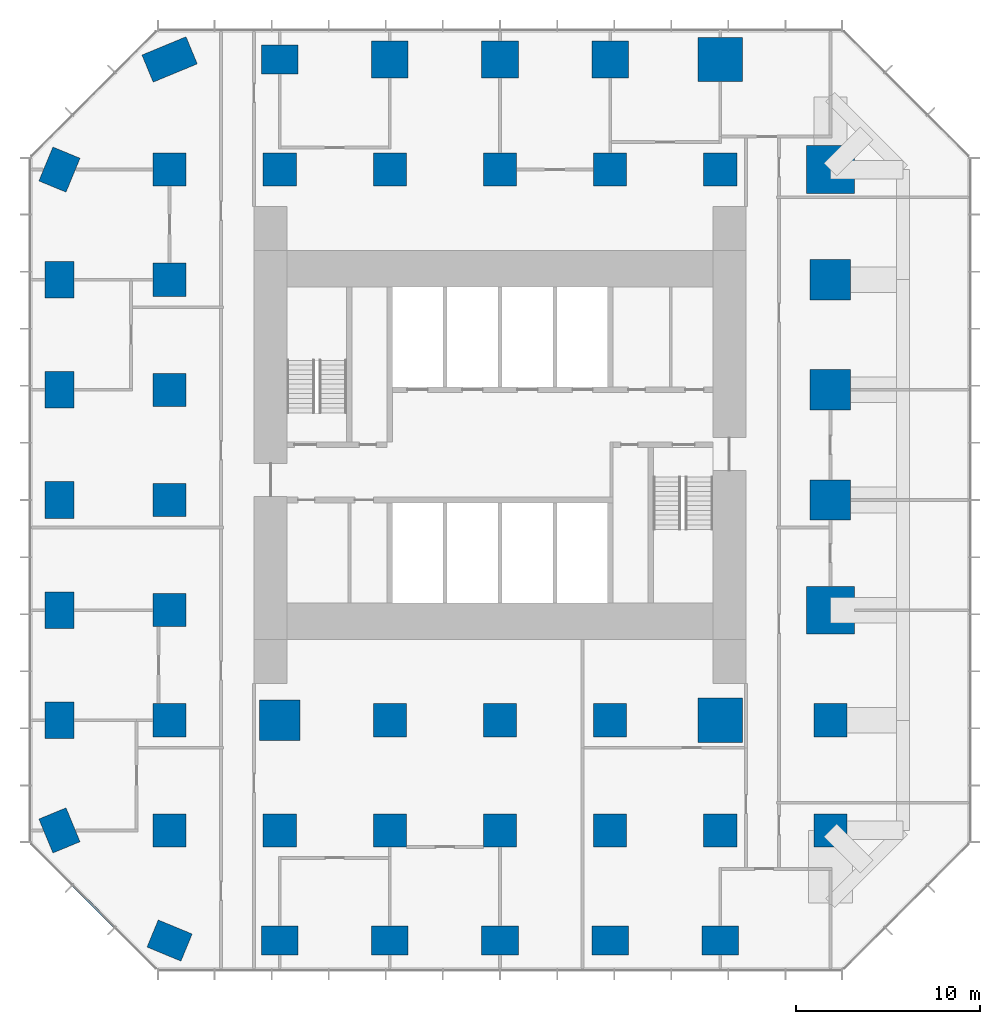
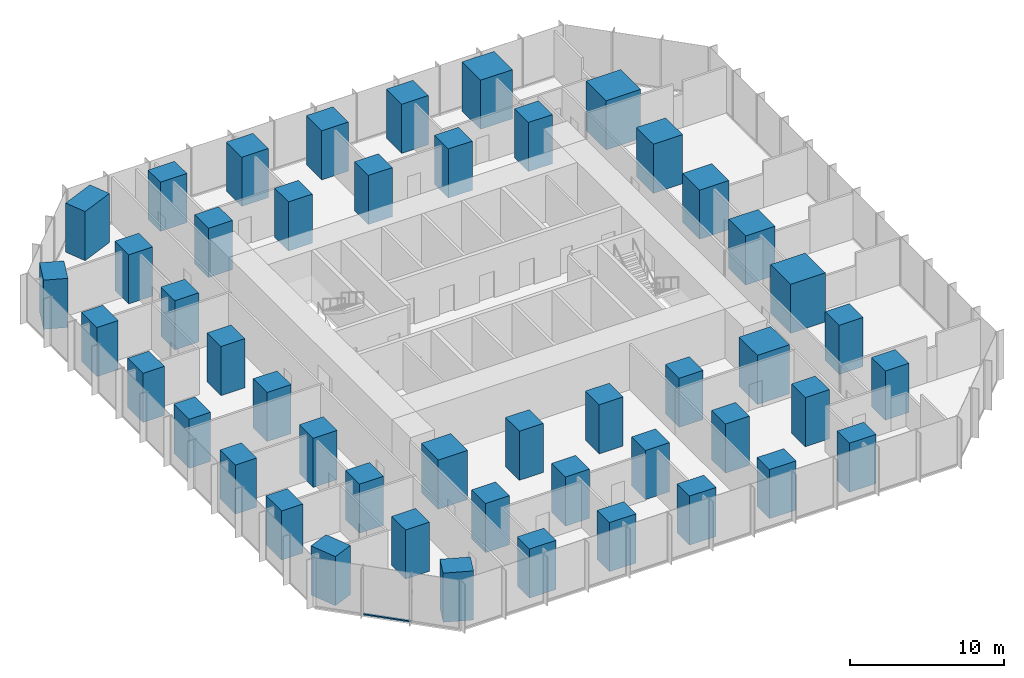
# One storey, part 1 of 12: 48 columns, 1 member, 1 element without a shape of its own.
"""IFC4 building model written with IfcOpenShell, lengths in metres."""

from ifc_helpers import new_model, si_unit, direction, frame, origin, origin_2d, place, context, subcontext, project, spatial, rectangle, extrude, material, layer, layer_set, material_profile, profile_set, type_object, element, aggregate, save


model = new_model("IFC4")

# Units and contexts
model_context = context("Model", 3, precision=1e-05, world=origin(), true_north=direction((0.0, 1.0)))
body_context = subcontext(model_context, "Body", "Model", "MODEL_VIEW")
ifc_project = project(units=[si_unit("LENGTHUNIT", "METRE"), si_unit("AREAUNIT", "SQUARE_METRE"), si_unit("VOLUMEUNIT", "CUBIC_METRE"), si_unit("PLANEANGLEUNIT", "RADIAN"), si_unit("MASSUNIT", "GRAM", prefix="KILO")], contexts=[model_context])

# Site, building, storey
site_placement = place(None, origin())
site = spatial("IfcSite", under=ifc_project, at=site_placement, CompositionType="ELEMENT")
building_placement = place(site_placement, origin())
building = spatial("IfcBuilding", under=site, at=building_placement, Name="Highveld Stack Headquarters", CompositionType="ELEMENT")
storey_placement = place(building_placement, frame((0.0, 0.0, 53.300048828125)))
storey = spatial("IfcBuildingStorey", under=building, at=storey_placement, Name="L12", CompositionType="ELEMENT", Elevation=53.300048828125)

# Columns
ifc_material_1 = material(Name="Concrete C60/75", Category="concrete")
ifc_material_profile_1 = material_profile(ifc_material_1, rectangle(XDim=1.800048828125, YDim=1.800048828125, at=origin_2d()), Name="RC 1800x1800")
ifc_profile_set_1 = profile_set([ifc_material_profile_1], Name="Concrete C60/75")
column_type_1 = type_object("IfcColumnType", Name="COLUMN RC 1800x1800 C60/75", PredefinedType="COLUMN", material=ifc_profile_set_1)
for number, where, z_axis, x_axis, name in (
    (1, (-12.0, -18.0, 0.0), (0.0, 0.0, 1.0), (1.0, 0.0, 0.0), "Column 4/B L12"),
    (2, (-12.0, -12.0, 0.0), (0.0, 0.0, 1.0), (1.0, 0.0, 0.0), "Column 4/C L12"),
    (3, (-12.0, -6.0, 0.0), (0.0, 0.0, 1.0), (1.0, 0.0, 0.0), "Column 4/D L12"),
    (4, (-12.0, 0.0, 0.0), (0.0, 0.0, 1.0), (1.0, 0.0, 0.0), "Column 4/E L12"),
    (5, (-12.0, 6.0, 0.0), (0.0, 0.0, 1.0), (1.0, 0.0, 0.0), "Column 4/F L12"),
    (6, (-12.0, 12.0, 0.0), (0.0, 0.0, 1.0), (1.0, 0.0, 0.0), "Column 4/G L12"),
    (7, (-12.0, 18.0, 0.0), (0.0, 0.0, 1.0), (1.0, 0.0, 0.0), "Column 4/H L12"),
    (8, (-6.0, -18.0, 0.0), (0.0, 0.0, 1.0), (1.0, 0.0, 0.0), "Column 5/B L12"),
    (9, (-6.0, 18.0, 0.0), (0.0, 0.0, 1.0), (1.0, 0.0, 0.0), "Column 5/H L12"),
    (10, (0.0, -18.0, 0.0), (0.0, 0.0, 1.0), (1.0, 0.0, 0.0), "Column 6/B L12"),
    (11, (0.0, -12.0, 0.0), (0.0, 0.0, 1.0), (1.0, 0.0, 0.0), "Column 6/C L12"),
    (12, (0.0, 18.0, 0.0), (0.0, 0.0, 1.0), (1.0, 0.0, 0.0), "Column 6/H L12"),
    (13, (6.0, -18.0, 0.0), (0.0, 0.0, 1.0), (1.0, 0.0, 0.0), "Column 7/B L12"),
    (14, (6.0, -12.0, 0.0), (0.0, 0.0, 1.0), (1.0, 0.0, 0.0), "Column 7/C L12"),
    (15, (6.0, 18.0, 0.0), (0.0, 0.0, 1.0), (1.0, 0.0, 0.0), "Column 7/H L12"),
    (16, (12.0, -18.0, 0.0), (0.0, 0.0, 1.0), (1.0, 0.0, 0.0), "Column 8/B L12"),
    (17, (12.0, -12.0, 0.0), (0.0, 0.0, 1.0), (1.0, 0.0, 0.0), "Column 8/C L12"),
    (18, (12.0, 18.0, 0.0), (0.0, 0.0, 1.0), (1.0, 0.0, 0.0), "Column 8/H L12"),
    (19, (18.0, -18.0, 0.0), (0.0, 0.0, 1.0), (1.0, 0.0, 0.0), "Column 9/B L12"),
    (20, (18.0, 18.0, 0.0), (0.0, 0.0, 1.0), (1.0, 0.0, 0.0), "Column 9/H L12"),
    (21, (24.0, -18.0, 0.0), (0.0, 0.0, 1.0), (1.0, 0.0, 0.0), "Column 10/B L12"),
    (22, (24.0, -12.0, 0.0), (0.0, 0.0, 1.0), (1.0, 0.0, 0.0), "Column 10/C L12"),
):
    element("IfcColumn", number, at=place(storey_placement, frame(where, z_axis=z_axis, x_axis=x_axis)), inside=storey, type_object=column_type_1, Name=name, PredefinedType="COLUMN", context=body_context, shape_type="SweptSolid", body=[
        extrude(rectangle(XDim=1.800048828125, YDim=1.800048828125, at=origin_2d()), origin(), (0.0, 0.0, 1.0), 3.89990234375),
    ])
ifc_material_2 = material(Name="Concrete C60/75", Category="concrete")
ifc_material_profile_2 = material_profile(ifc_material_2, rectangle(XDim=2.0, YDim=1.60009765625, at=origin_2d()), Name="RC 2000x1600")
ifc_profile_set_2 = profile_set([ifc_material_profile_2], Name="Concrete C60/75")
column_type_2 = type_object("IfcColumnType", Name="COLUMN RC 2000x1600 C60/75", PredefinedType="COLUMN", material=ifc_profile_set_2)
for number, where, z_axis, x_axis, name in (
    (23, (-18.0, -18.0, 0.0), (0.0, 0.0, 1.0), (-0.382683432365, 0.923879532511, 0.0), "Column 3/B L12"),
    (24, (-18.0, -12.0, 0.0), (0.0, 0.0, 1.0), (0.0, 1.0, 0.0), "Column 3/C L12"),
    (25, (-18.0, -6.0, 0.0), (0.0, 0.0, 1.0), (0.0, 1.0, 0.0), "Column 3/D L12"),
    (26, (-18.0, 0.0, 0.0), (0.0, 0.0, 1.0), (0.0, 1.0, 0.0), "Column 3/E L12"),
    (27, (-18.0, 6.0, 0.0), (0.0, 0.0, 1.0), (0.0, 1.0, 0.0), "Column 3/F L12"),
    (28, (-18.0, 12.0, 0.0), (0.0, 0.0, 1.0), (0.0, 1.0, 0.0), "Column 3/G L12"),
    (29, (-18.0, 18.0, 0.0), (0.0, 0.0, 1.0), (0.382683432365, 0.923879532511, 0.0), "Column 3/H L12"),
    (30, (-12.0, -24.0, 0.0), (0.0, 0.0, 1.0), (-0.923879532511, 0.382683432365, 0.0), "Column 4/A L12"),
    (31, (-6.0, -24.0, 0.0), (0.0, 0.0, 1.0), (1.0, 0.0, 0.0), "Column 5/A L12"),
    (32, (-6.0, 24.0, 0.0), (0.0, 0.0, 1.0), (1.0, 0.0, 0.0), "Column 5/J L12"),
    (33, (0.0, -24.0, 0.0), (0.0, 0.0, 1.0), (1.0, 0.0, 0.0), "Column 6/A L12"),
    (34, (6.0, -24.0, 0.0), (0.0, 0.0, 1.0), (1.0, 0.0, 0.0), "Column 7/A L12"),
    (35, (12.0, -24.0, 0.0), (0.0, 0.0, 1.0), (1.0, 0.0, 0.0), "Column 8/A L12"),
    (36, (18.0, -24.0, 0.0), (0.0, 0.0, 1.0), (1.0, 0.0, 0.0), "Column 9/A L12"),
):
    element("IfcColumn", number, at=place(storey_placement, frame(where, z_axis=z_axis, x_axis=x_axis)), inside=storey, type_object=column_type_2, Name=name, PredefinedType="COLUMN", context=body_context, shape_type="SweptSolid", body=[
        extrude(rectangle(XDim=2.0, YDim=1.60009765625, at=origin_2d()), origin(), (0.0, 0.0, 1.0), 3.89990234375),
    ])
ifc_material_3 = material(Name="Concrete C60/75", Category="concrete")
ifc_material_profile_3 = material_profile(ifc_material_3, rectangle(XDim=2.0, YDim=2.0, at=origin_2d()), Name="RC 2000x2000")
ifc_profile_set_3 = profile_set([ifc_material_profile_3], Name="Concrete C60/75")
column_type_3 = type_object("IfcColumnType", Name="COLUMN RC 2000x2000 C60/75", PredefinedType="COLUMN", material=ifc_profile_set_3)
for number, where, z_axis, x_axis, name in (
    (37, (0.0, 24.0, 0.0), (0.0, 0.0, 1.0), (1.0, 0.0, 0.0), "Column 6/J L12"),
    (38, (6.0, 24.0, 0.0), (0.0, 0.0, 1.0), (1.0, 0.0, 0.0), "Column 7/J L12"),
    (39, (12.0, 24.0, 0.0), (0.0, 0.0, 1.0), (1.0, 0.0, 0.0), "Column 8/J L12"),
):
    element("IfcColumn", number, at=place(storey_placement, frame(where, z_axis=z_axis, x_axis=x_axis)), inside=storey, type_object=column_type_3, Name=name, PredefinedType="COLUMN", context=body_context, shape_type="SweptSolid", body=[
        extrude(rectangle(XDim=2.0, YDim=2.0, at=origin_2d()), origin(), (0.0, 0.0, 1.0), 3.89990234375),
    ])
ifc_material_4 = material(Name="Concrete C60/75", Category="concrete")
ifc_material_profile_4 = material_profile(ifc_material_4, rectangle(XDim=2.199951171875, YDim=2.199951171875, at=origin_2d()), Name="RC 2200x2200")
ifc_profile_set_4 = profile_set([ifc_material_profile_4], Name="Concrete C60/75")
column_type_4 = type_object("IfcColumnType", Name="COLUMN RC 2200x2200 C60/75", PredefinedType="COLUMN", material=ifc_profile_set_4)
for number, where, z_axis, x_axis, name in (
    (40, (-6.0, -12.0, 0.0), (0.0, 0.0, 1.0), (1.0, 0.0, 0.0), "Column 5/C L12"),
    (41, (24.0, 0.0, 0.0), (0.0, 0.0, 1.0), (1.0, 0.0, 0.0), "Column 10/E L12"),
    (42, (24.0, 6.0, 0.0), (0.0, 0.0, 1.0), (1.0, 0.0, 0.0), "Column 10/F L12"),
    (43, (24.0, 12.0, 0.0), (0.0, 0.0, 1.0), (1.0, 0.0, 0.0), "Column 10/G L12"),
):
    element("IfcColumn", number, at=place(storey_placement, frame(where, z_axis=z_axis, x_axis=x_axis)), inside=storey, type_object=column_type_4, Name=name, PredefinedType="COLUMN", context=body_context, shape_type="SweptSolid", body=[
        extrude(rectangle(XDim=2.199951171875, YDim=2.199951171875, at=origin_2d()), origin(), (0.0, 0.0, 1.0), 3.89990234375),
    ])
ifc_material_5 = material(Name="Concrete C60/75", Category="concrete")
ifc_material_profile_5 = material_profile(ifc_material_5, rectangle(XDim=2.39990234375, YDim=2.39990234375, at=origin_2d()), Name="RC 2400x2400")
ifc_profile_set_5 = profile_set([ifc_material_profile_5], Name="Concrete C60/75")
column_type_5 = type_object("IfcColumnType", Name="COLUMN RC 2400x2400 C60/75", PredefinedType="COLUMN", material=ifc_profile_set_5)
for number, where, z_axis, x_axis, name in (
    (44, (18.0, -12.0, 0.0), (0.0, 0.0, 1.0), (1.0, 0.0, 0.0), "Column 9/C L12"),
    (45, (18.0, 24.0, 0.0), (0.0, 0.0, 1.0), (1.0, 0.0, 0.0), "Column 9/J L12"),
):
    element("IfcColumn", number, at=place(storey_placement, frame(where, z_axis=z_axis, x_axis=x_axis)), inside=storey, type_object=column_type_5, Name=name, PredefinedType="COLUMN", context=body_context, shape_type="SweptSolid", body=[
        extrude(rectangle(XDim=2.39990234375, YDim=2.39990234375, at=origin_2d()), origin(), (0.0, 0.0, 1.0), 3.89990234375),
    ])
ifc_material_6 = material(Name="Concrete C60/75", Category="concrete")
ifc_material_profile_6 = material_profile(ifc_material_6, rectangle(XDim=2.60009765625, YDim=1.60009765625, at=origin_2d()), Name="RC 2600x1600")
ifc_profile_set_6 = profile_set([ifc_material_profile_6], Name="Concrete C60/75")
column_type_6 = type_object("IfcColumnType", Name="COLUMN RC 2600x1600 C60/75", PredefinedType="COLUMN", material=ifc_profile_set_6)
column_placement = place(storey_placement, frame((-12.0, 24.0, 0.0), z_axis=(0.0, 0.0, 1.0), x_axis=(0.923879532511, 0.382683432365, 0.0)))
element("IfcColumn", 46, at=column_placement, inside=storey, type_object=column_type_6, Name="Column 4/J L12", PredefinedType="COLUMN", context=body_context, shape_type="SweptSolid", body=[
    extrude(rectangle(XDim=2.60009765625, YDim=1.60009765625, at=origin_2d()), origin(), (0.0, 0.0, 1.0), 3.89990234375),
])
ifc_material_7 = material(Name="Concrete C60/75", Category="concrete")
ifc_material_profile_7 = material_profile(ifc_material_7, rectangle(XDim=2.60009765625, YDim=2.60009765625, at=origin_2d()), Name="RC 2600x2600")
ifc_profile_set_7 = profile_set([ifc_material_profile_7], Name="Concrete C60/75")
column_type_7 = type_object("IfcColumnType", Name="COLUMN RC 2600x2600 C60/75", PredefinedType="COLUMN", material=ifc_profile_set_7)
for number, where, z_axis, x_axis, name in (
    (47, (24.0, -6.0, 0.0), (0.0, 0.0, 1.0), (1.0, 0.0, 0.0), "Column 10/D L12"),
    (48, (24.0, 18.0, 0.0), (0.0, 0.0, 1.0), (1.0, 0.0, 0.0), "Column 10/H L12"),
):
    element("IfcColumn", number, at=place(storey_placement, frame(where, z_axis=z_axis, x_axis=x_axis)), inside=storey, type_object=column_type_7, Name=name, PredefinedType="COLUMN", context=body_context, shape_type="SweptSolid", body=[
        extrude(rectangle(XDim=2.60009765625, YDim=2.60009765625, at=origin_2d()), origin(), (0.0, 0.0, 1.0), 3.89990234375),
    ])

# Curtain wall, member
ifc_material_8 = material(Name="Aluminium bronze anodised", Category="aluminium")
ifc_layer = layer(ifc_material_8, 0.199951171875)
ifc_layer_set = layer_set([ifc_layer], Name="Aluminium bronze anodised")
curtain_wall_type = type_object("IfcCurtainWallType", Name="CW2 TOWER CHAMFER UNITISED CURTAIN WALL", PredefinedType="NOTDEFINED", material=ifc_layer_set)
curtain_wall_placement = place(storey_placement, origin())
curtain_wall = element("IfcCurtainWall", 49, at=curtain_wall_placement, inside=storey, type_object=curtain_wall_type, Name="Curtain wall CW2 L12 SW", PredefinedType="NOTDEFINED")
ifc_material_9 = material(Name="Aluminium bronze anodised", Category="aluminium")
ifc_material_profile_8 = material_profile(ifc_material_9, rectangle(XDim=0.14990234375, YDim=0.10009765625, at=origin_2d()), Name="CW2 TRANSOM 150x100")
ifc_profile_set_8 = profile_set([ifc_material_profile_8], Name="Aluminium bronze anodised")
member_type = type_object("IfcMemberType", Name="CW2 STACK TRANSOM 150x100", PredefinedType="USERDEFINED", material=ifc_profile_set_8)
member_placement = place(storey_placement, frame((-17.2646484375, -20.998046875, 0.050048828125), z_axis=(0.707106781187, -0.707106781187, 0.0), x_axis=(0.707106781187, 0.707106781187, 0.0)))
member = element("IfcMember", 50, at=member_placement, type_object=member_type, Name="CW2 transom L12 2.1", ObjectType="TRANSOM", PredefinedType="USERDEFINED", context=body_context, shape_type="SweptSolid", body=[
    extrude(rectangle(XDim=0.14990234375, YDim=0.10009765625, at=origin_2d()), origin(), (0.0, 0.0, 1.0), 3.20556640625),
])
aggregate(curtain_wall, [member])

save(model, "model.ifc")
